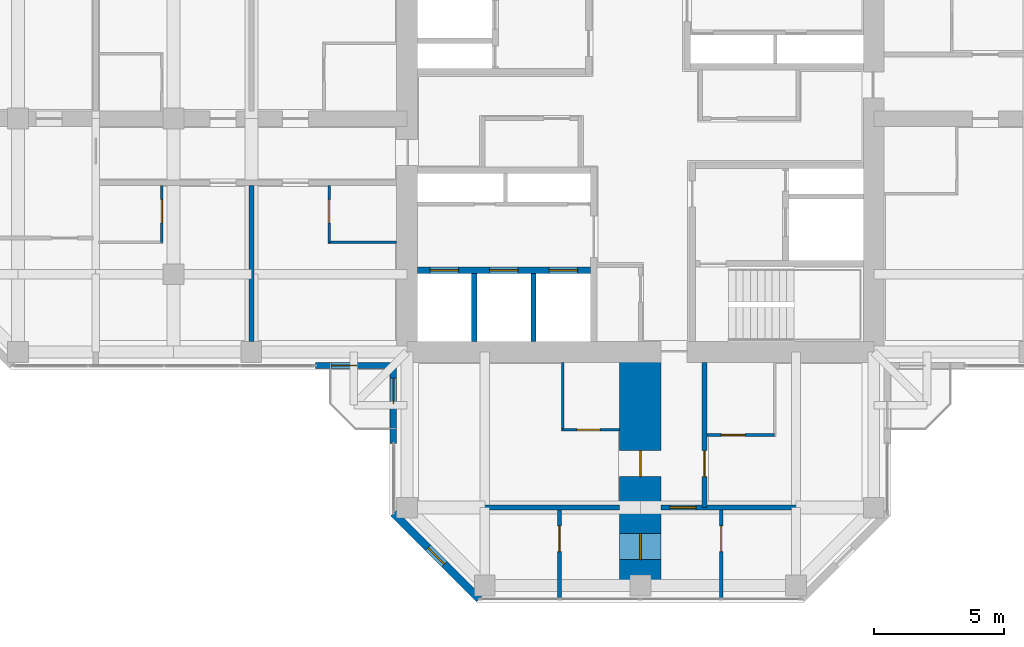
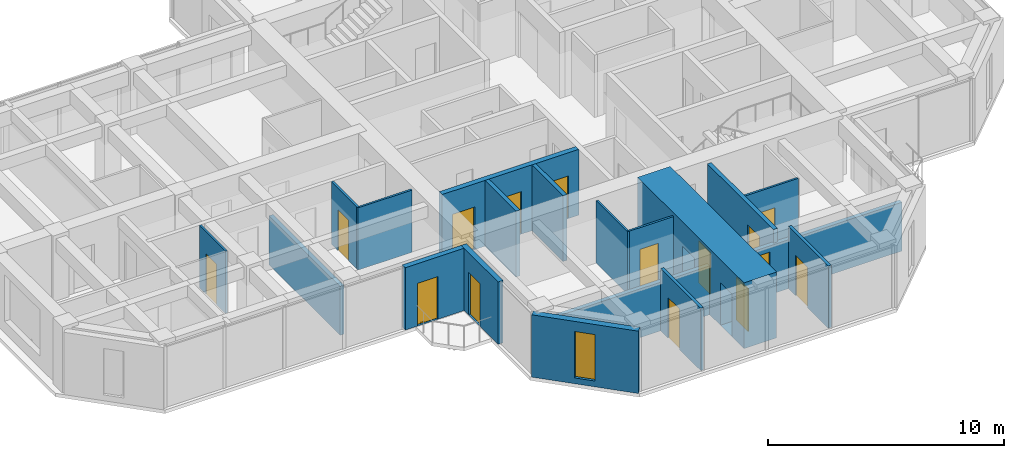
# One storey, part 8 of 14: 19 walls, 15 doors, 1 window, 16 openings.
"""IFC4 building model written with IfcOpenShell, lengths in metres."""

import ifcopenshell
import ifcopenshell.guid

model = None  # the IFC model being written
_history = None  # IfcOwnerHistory: only IFC2X3 demands one
_inside = {}  # id of a spatial element -> (the spatial element, [elements in it])
_under = {}  # id of a project, library or spatial element -> (it, [spatial elements below it])
_declared = {}  # id of a project -> (the project, [libraries it declares])
_typed = {}  # id of a type object -> (the type object, [elements of that type])
_made_of = {}  # id of a material, layer set ... -> (it, [elements and type objects made of it])


def new_model(schema):
    """Start an empty IFC model of exactly this schema.

    Asked for "IFC4X3", IfcOpenShell would pick the latest addendum, in which some entities
    have other attributes; the version numbers below select the first issue.
    IFC2X3 requires an IfcOwnerHistory on every rooted entity: one is made here for all.
    """
    global model, _history
    if schema == "IFC4X3":
        model = ifcopenshell.file(schema_version=(4, 3, 0, 0))
    else:
        model = ifcopenshell.file(schema=schema)
    _inside.clear()
    _under.clear()
    _declared.clear()
    _typed.clear()
    _made_of.clear()
    _history = None
    if model.schema == "IFC2X3":
        org = make("IfcOrganization", Name="unknown")
        user = make(
            "IfcPersonAndOrganization",
            ThePerson=make("IfcPerson", FamilyName="unknown"),
            TheOrganization=org,
        )
        app = make(
            "IfcApplication",
            ApplicationDeveloper=org,
            Version="unknown",
            ApplicationFullName="unknown",
            ApplicationIdentifier="unknown",
        )
        _history = make(
            "IfcOwnerHistory",
            OwningUser=user,
            OwningApplication=app,
            ChangeAction="ADDED",
            CreationDate=0,
        )
    return model


def make(cls, **values):
    """One entity of the class cls with the attributes given. An attribute that is None is left unset."""
    return model.create_entity(
        cls, **{name: value for name, value in values.items() if value is not None}
    )


def rooted(cls, **values):
    """An entity with a GlobalId (a new one), such as an element, a storey or a relation."""
    return make(cls, GlobalId=ifcopenshell.guid.new(), OwnerHistory=_history, **values)


def si_unit(unit_type, name, prefix=None):
    """IfcSIUnit, for example si_unit("LENGTHUNIT", "METRE", prefix="MILLI")."""
    return make("IfcSIUnit", UnitType=unit_type, Prefix=prefix, Name=name)


def assignment(units):
    """IfcUnitAssignment: the units of a project."""
    return None if units is None else make("IfcUnitAssignment", Units=units)


def point(xyz):
    """IfcCartesianPoint."""
    return None if xyz is None else make("IfcCartesianPoint", Coordinates=xyz)


def direction(xyz):
    """IfcDirection."""
    return None if xyz is None else make("IfcDirection", DirectionRatios=xyz)


def frame(location, z_axis=None, x_axis=None):
    """IfcAxis2Placement3D, a coordinate frame: its origin and axes. An axis left out is left unset."""
    return make(
        "IfcAxis2Placement3D",
        Location=point(location),
        Axis=direction(z_axis),
        RefDirection=direction(x_axis),
    )


def frame_2d(location, x_axis=None):
    """IfcAxis2Placement2D, a coordinate frame in the plane: its origin and x axis."""
    return make(
        "IfcAxis2Placement2D", Location=point(location), RefDirection=direction(x_axis)
    )


def origin():
    """The frame at (0, 0, 0) with its axes left unset."""
    return frame((0.0, 0.0, 0.0))


def place(relative_to, where):
    """IfcLocalPlacement: puts the frame where relative to a parent placement (None: the world)."""
    return make(
        "IfcLocalPlacement", PlacementRelTo=relative_to, RelativePlacement=where
    )


def context(
    kind, dimensions, precision=None, world=None, true_north=None, identifier=None
):
    """IfcGeometricRepresentationContext, for example the 3D "Model" context."""
    return make(
        "IfcGeometricRepresentationContext",
        ContextIdentifier=identifier,
        ContextType=kind,
        CoordinateSpaceDimension=dimensions,
        Precision=precision,
        WorldCoordinateSystem=world,
        TrueNorth=true_north,
    )


def subcontext(parent, identifier, kind, view, scale=None):
    """IfcGeometricRepresentationSubContext, for example "Body" below "Model"."""
    return make(
        "IfcGeometricRepresentationSubContext",
        ContextIdentifier=identifier,
        ContextType=kind,
        ParentContext=parent,
        TargetScale=scale,
        TargetView=view,
    )


def project(units=None, contexts=None):
    """IfcProject with its units and contexts."""
    return rooted(
        "IfcProject",
        Name="project",
        RepresentationContexts=contexts,
        UnitsInContext=assignment(units),
    )


def spatial(cls, under=None, at=None, **own):
    """A site, building, storey or space (cls), placed at a placement, below another one or the project."""
    s = rooted(cls, ObjectPlacement=at, **own)
    if under is not None:
        _under.setdefault(under.id(), (under, []))[1].append(s)
    return s


def profile(cls, at=None, kind="AREA", **sizes):
    """A parametric profile (cls). Its sizes go by their IFC names, for example OverallWidth=200.0."""
    return make(cls, ProfileType=kind, Position=at, **sizes)


def rectangle(**sizes):
    """IfcRectangleProfileDef."""
    return profile("IfcRectangleProfileDef", **sizes)


def hollow_rectangle(**sizes):
    """IfcRectangleHollowProfileDef."""
    return profile("IfcRectangleHollowProfileDef", **sizes)


def extrude(swept, where, along, depth):
    """IfcExtrudedAreaSolid: the profile swept, set in the frame where, extruded along a direction by depth."""
    return make(
        "IfcExtrudedAreaSolid",
        SweptArea=swept,
        Position=where,
        ExtrudedDirection=direction(along),
        Depth=depth,
    )


def shape(context_of_items, identifier, shape_type, items):
    """IfcShapeRepresentation: the items that make up one representation, for example the "Body"."""
    return make(
        "IfcShapeRepresentation",
        ContextOfItems=context_of_items,
        RepresentationIdentifier=identifier,
        RepresentationType=shape_type,
        Items=items,
    )


def material(Name=None, Category=None):
    """IfcMaterial."""
    return make("IfcMaterial", Name=Name, Category=Category)


def layer(
    of_material, thickness, ventilated=None, Name=None, Category=None, Priority=None
):
    """IfcMaterialLayer: one layer of a wall or slab, of a material (None: an air gap)."""
    return make(
        "IfcMaterialLayer",
        Material=of_material,
        LayerThickness=thickness,
        IsVentilated=ventilated,
        Name=Name,
        Category=Category,
        Priority=Priority,
    )


def layer_set(layers, Name=None):
    """IfcMaterialLayerSet."""
    return make("IfcMaterialLayerSet", MaterialLayers=layers, LayerSetName=Name)


def constituent(of_material, Name=None, Category=None, fraction=None):
    """IfcMaterialConstituent: one of the materials an element consists of."""
    return make(
        "IfcMaterialConstituent",
        Name=Name,
        Material=of_material,
        Fraction=fraction,
        Category=Category,
    )


def constituent_set(constituents=None, Name=None):
    """IfcMaterialConstituentSet."""
    return make(
        "IfcMaterialConstituentSet", Name=Name, MaterialConstituents=constituents
    )


def made_of(thing, what):
    """Note that an element or type object is made of a material, layer set ...; save() writes the relation."""
    if what is not None:
        _made_of.setdefault(what.id(), (what, []))[1].append(thing)
    return thing


def type_object(cls, material=None, **own):
    """A type object (cls), such as IfcWallType, which elements share."""
    return made_of(rooted(cls, **own), material)


def element(
    cls,
    number,
    at=None,
    inside=None,
    cuts=None,
    type_object=None,
    material=None,
    context=None,
    identifier="Body",
    shape_type=None,
    held_by="IfcProductDefinitionShape",
    body=None,
    shapes=None,
    **own,
):
    """One element of the class cls, such as IfcWall. Its Tag is "e" and its number.

    at: its placement. inside: the storey or other place that contains it. cuts: it is an
    opening in that element (IfcRelVoidsElement). A single representation is given by context,
    identifier, shape_type and body (its items); several are given by shapes. held_by: the class
    of the entity that holds the representations. save() writes the other relations.
    """
    e = rooted(cls, Tag="e%d" % number, ObjectPlacement=at, **own)
    if body is not None:
        shapes = [shape(context, identifier, shape_type, body)]
    if shapes is not None:
        e.Representation = make(held_by, Representations=shapes)
    if inside is not None:
        _inside.setdefault(inside.id(), (inside, []))[1].append(e)
    if cuts is not None:
        rooted(
            "IfcRelVoidsElement", RelatingBuildingElement=cuts, RelatedOpeningElement=e
        )
    if type_object is not None:
        _typed.setdefault(type_object.id(), (type_object, []))[1].append(e)
    return made_of(e, material)


def fill(opening, filler):
    """IfcRelFillsElement: the door or window that sits in an opening."""
    return rooted(
        "IfcRelFillsElement",
        RelatingOpeningElement=opening,
        RelatedBuildingElement=filler,
    )


def aggregate(whole, parts):
    """IfcRelAggregates: a whole, such as a stair, and the parts it consists of."""
    return rooted("IfcRelAggregates", RelatingObject=whole, RelatedObjects=parts)


def save(model, path):
    """Write the relations noted so far, then the file.

    IfcRelAggregates (storeys below a building ...), IfcRelContainedInSpatialStructure (elements
    in a storey), IfcRelDefinesByType, IfcRelAssociatesMaterial and IfcRelDeclares: one each for
    every whole, place, type object, material and project.
    """
    for whole, parts in _under.values():
        aggregate(whole, parts)
    for where, things in _inside.values():
        rooted(
            "IfcRelContainedInSpatialStructure",
            RelatedElements=things,
            RelatingStructure=where,
        )
    for kind, things in _typed.values():
        rooted("IfcRelDefinesByType", RelatedObjects=things, RelatingType=kind)
    for what, things in _made_of.values():
        rooted("IfcRelAssociatesMaterial", RelatedObjects=things, RelatingMaterial=what)
    for by, libraries in _declared.values():
        rooted("IfcRelDeclares", RelatingContext=by, RelatedDefinitions=libraries)
    model.write(path)


model = new_model("IFC4")

# Units and contexts
model_context = context("Model", 3, precision=1e-05, world=origin(), true_north=direction((0.0, 1.0)))
body_context = subcontext(model_context, "Body", "Model", "MODEL_VIEW")
ifc_project = project(units=[si_unit("LENGTHUNIT", "METRE"), si_unit("AREAUNIT", "SQUARE_METRE"), si_unit("VOLUMEUNIT", "CUBIC_METRE"), si_unit("PLANEANGLEUNIT", "RADIAN"), si_unit("MASSUNIT", "GRAM", prefix="KILO")], contexts=[model_context])

# Site, building, storey
site_placement = place(None, origin())
site = spatial("IfcSite", under=ifc_project, at=site_placement, CompositionType="ELEMENT")
building_placement = place(site_placement, origin())
building = spatial("IfcBuilding", under=site, at=building_placement, Name="Torre Cruceta", CompositionType="ELEMENT")
storey_placement = place(building_placement, frame((0.0, 0.0, 228.89990234375)))
storey = spatial("IfcBuildingStorey", under=building, at=storey_placement, Name="L58", CompositionType="ELEMENT", Elevation=228.89990234375)

# Wall, opening, door
ifc_material_1 = material(Name="Water-resistant plasterboard on steel studs", Category="steel")
ifc_layer_1 = layer(ifc_material_1, 0.10009765625)
ifc_layer_set_1 = layer_set([ifc_layer_1], Name="Water-resistant plasterboard on steel studs")
wall_type_1 = type_object("IfcWallType", Name="BATHROOM WALL 100", PredefinedType="PARTITIONING", material=ifc_layer_set_1)
wall_1_placement = place(storey_placement, frame((2.574951171875, -12.199951171875, 0.0), z_axis=(0.0, 0.0, 1.0), x_axis=(1.0, 0.0, 0.0)))
wall_1 = element("IfcWall", 1, at=wall_1_placement, inside=storey, type_object=wall_type_1, Name="PT4 L58-S-U1LBS", PredefinedType="PARTITIONING", context=body_context, shape_type="SweptSolid", body=[
    extrude(rectangle(XDim=2.60009765625, YDim=0.10009765625, at=frame_2d((1.300048828125, 0.0))), origin(), (0.0, 0.0, 1.0), 3.22021484375),
])
opening_1_placement = place(wall_1_placement, frame((0.550048828125, 0.0, 0.0)))
opening_1 = element("IfcOpeningElement", 2, at=opening_1_placement, cuts=wall_1, Name="Opening D7", PredefinedType="OPENING", context=body_context, shape_type="SweptSolid", body=[
    extrude(rectangle(XDim=0.89990234375, YDim=2.10009765625, at=frame_2d((0.449951171875, 1.050048828125))), frame((0.0, 0.06005859375, 0.0), z_axis=(0.0, -1.0, 0.0), x_axis=(1.0, 0.0, 0.0)), (0.0, 0.0, 1.0), 0.1201171875),
])
ifc_material_2 = material(Name="Timber door", Category="wood")
door_type_1 = type_object("IfcDoorType", Name="BATHROOM DOOR 900X2100", OperationType="SINGLE_SWING_LEFT", PredefinedType="DOOR", material=ifc_material_2)
door_1_placement = place(opening_1_placement, origin())
door_1 = element("IfcDoor", 3, at=door_1_placement, inside=storey, type_object=door_type_1, Name="D7 L58-S-U1LBS-D1", OperationType="SINGLE_SWING_LEFT", OverallHeight=2.10009765625, OverallWidth=0.89990234375, PredefinedType="DOOR", context=body_context, shape_type="SweptSolid", body=[
    extrude(rectangle(XDim=0.89990234375, YDim=2.10009765625, at=frame_2d((0.449951171875, 1.050048828125))), frame((0.0, 0.02490234375, 0.0), z_axis=(0.0, -1.0, 0.0), x_axis=(1.0, 0.0, 0.0)), (0.0, 0.0, 1.0), 0.050048828125),
])
fill(opening_1, door_1)

# Wall
wall_2_placement = place(storey_placement, frame((-3.0, -9.39990234375, 0.0), z_axis=(0.0, 0.0, 1.0), x_axis=(0.0, -1.0, 0.0)))
element("IfcWall", 4, at=wall_2_placement, inside=storey, type_object=wall_type_1, Name="PT4 L58-S-U1RBB", PredefinedType="PARTITIONING", context=body_context, shape_type="SweptSolid", body=[
    extrude(rectangle(XDim=2.650146484375, YDim=0.10009765625, at=frame_2d((1.3251953125, 0.0))), origin(), (0.0, 0.0, 1.0), 3.22021484375),
])

# Wall, opening, door
wall_3_placement = place(storey_placement, frame((-3.0, -12.0, 0.0), z_axis=(0.0, 0.0, 1.0), x_axis=(1.0, 0.0, 0.0)))
wall_3 = element("IfcWall", 5, at=wall_3_placement, inside=storey, type_object=wall_type_1, Name="PT4 L58-S-U1RBS", PredefinedType="PARTITIONING", context=body_context, shape_type="SweptSolid", body=[
    extrude(rectangle(XDim=2.199951171875, YDim=0.10009765625, at=frame_2d((1.10009765625, 0.0))), origin(), (0.0, 0.0, 1.0), 3.22021484375),
])
opening_2_placement = place(wall_3_placement, frame((0.550048828125, 0.0, 0.0)))
opening_2 = element("IfcOpeningElement", 6, at=opening_2_placement, cuts=wall_3, Name="Opening D7", PredefinedType="OPENING", context=body_context, shape_type="SweptSolid", body=[
    extrude(rectangle(XDim=0.89990234375, YDim=2.10009765625, at=frame_2d((0.449951171875, 1.050048828125))), frame((0.0, 0.06005859375, 0.0), z_axis=(0.0, -1.0, 0.0), x_axis=(1.0, 0.0, 0.0)), (0.0, 0.0, 1.0), 0.1201171875),
])
door_2_placement = place(opening_2_placement, origin())
door_2 = element("IfcDoor", 7, at=door_2_placement, inside=storey, type_object=door_type_1, Name="D7 L58-S-U1RBS-D1", OperationType="SINGLE_SWING_LEFT", OverallHeight=2.10009765625, OverallWidth=0.89990234375, PredefinedType="DOOR", context=body_context, shape_type="SweptSolid", body=[
    extrude(rectangle(XDim=0.89990234375, YDim=2.10009765625, at=frame_2d((0.449951171875, 1.050048828125))), frame((0.0, 0.02490234375, 0.0), z_axis=(0.0, -1.0, 0.0), x_axis=(1.0, 0.0, 0.0)), (0.0, 0.0, 1.0), 0.050048828125),
])
fill(opening_2, door_2)

# Wall
wall_4_placement = place(storey_placement, frame((-9.39990234375, -4.77490234375, 0.0), z_axis=(0.0, 0.0, 1.0), x_axis=(-1.0, 0.0, 0.0)))
element("IfcWall", 8, at=wall_4_placement, inside=storey, type_object=wall_type_1, Name="PT4 L58-W-U1LBB", PredefinedType="PARTITIONING", context=body_context, shape_type="SweptSolid", body=[
    extrude(rectangle(XDim=2.650146484375, YDim=0.10009765625, at=frame_2d((1.3251953125, 0.0))), origin(), (0.0, 0.0, 1.0), 3.22021484375),
])

# Wall, opening, door
wall_5_placement = place(storey_placement, frame((-12.0, -2.574951171875, 0.0), z_axis=(0.0, 0.0, 1.0), x_axis=(0.0, -1.0, 0.0)))
wall_5 = element("IfcWall", 9, at=wall_5_placement, inside=storey, type_object=wall_type_1, Name="PT4 L58-W-U1LBS", PredefinedType="PARTITIONING", context=body_context, shape_type="SweptSolid", body=[
    extrude(rectangle(XDim=2.199951171875, YDim=0.10009765625, at=frame_2d((1.10009765625, 0.0))), origin(), (0.0, 0.0, 1.0), 3.22021484375),
])
opening_3_placement = place(wall_5_placement, frame((0.550048828125, 0.0, 0.0)))
opening_3 = element("IfcOpeningElement", 10, at=opening_3_placement, cuts=wall_5, Name="Opening D7", PredefinedType="OPENING", context=body_context, shape_type="SweptSolid", body=[
    extrude(rectangle(XDim=0.89990234375, YDim=2.10009765625, at=frame_2d((0.449951171875, 1.050048828125))), frame((0.0, 0.06005859375, 0.0), z_axis=(0.0, -1.0, 0.0), x_axis=(1.0, 0.0, 0.0)), (0.0, 0.0, 1.0), 0.1201171875),
])
door_3_placement = place(opening_3_placement, origin())
door_3 = element("IfcDoor", 11, at=door_3_placement, inside=storey, type_object=door_type_1, Name="D7 L58-W-U1LBS-D1", OperationType="SINGLE_SWING_LEFT", OverallHeight=2.10009765625, OverallWidth=0.89990234375, PredefinedType="DOOR", context=body_context, shape_type="SweptSolid", body=[
    extrude(rectangle(XDim=0.89990234375, YDim=2.10009765625, at=frame_2d((0.449951171875, 1.050048828125))), frame((0.0, 0.02490234375, 0.0), z_axis=(0.0, -1.0, 0.0), x_axis=(1.0, 0.0, 0.0)), (0.0, 0.0, 1.0), 0.050048828125),
])
fill(opening_3, door_3)

wall_6_placement = place(storey_placement, frame((-18.449951171875, -2.574951171875, 0.0), z_axis=(0.0, 0.0, 1.0), x_axis=(0.0, -1.0, 0.0)))
wall_6 = element("IfcWall", 12, at=wall_6_placement, inside=storey, type_object=wall_type_1, Name="PT4 L58-W-U2LBS", PredefinedType="PARTITIONING", context=body_context, shape_type="SweptSolid", body=[
    extrude(rectangle(XDim=2.199951171875, YDim=0.10009765625, at=frame_2d((1.10009765625, 0.0))), origin(), (0.0, 0.0, 1.0), 3.22021484375),
])
opening_4_placement = place(wall_6_placement, frame((0.550048828125, 0.0, 0.0)))
opening_4 = element("IfcOpeningElement", 13, at=opening_4_placement, cuts=wall_6, Name="Opening D7", PredefinedType="OPENING", context=body_context, shape_type="SweptSolid", body=[
    extrude(rectangle(XDim=0.89990234375, YDim=2.10009765625, at=frame_2d((0.449951171875, 1.050048828125))), frame((0.0, 0.06005859375, 0.0), z_axis=(0.0, -1.0, 0.0), x_axis=(1.0, 0.0, 0.0)), (0.0, 0.0, 1.0), 0.1201171875),
])
door_4_placement = place(opening_4_placement, frame((0.89990234375, 0.0, 0.0), z_axis=(0.0, 0.0, 1.0), x_axis=(-1.0, 0.0, 0.0)))
door_4 = element("IfcDoor", 14, at=door_4_placement, inside=storey, type_object=door_type_1, Name="D7 L58-W-U2LBS-D1", OperationType="SINGLE_SWING_RIGHT", OverallHeight=2.10009765625, OverallWidth=0.89990234375, PredefinedType="DOOR", context=body_context, shape_type="SweptSolid", body=[
    extrude(rectangle(XDim=0.89990234375, YDim=2.10009765625, at=frame_2d((0.449951171875, 1.050048828125))), frame((0.0, 0.025146484375, 0.0), z_axis=(0.0, -1.0, 0.0), x_axis=(1.0, 0.0, 0.0)), (0.0, 0.0, 1.0), 0.050048828125),
])
fill(opening_4, door_4)

# Wall, openings, doors
ifc_material_3 = material(Name="Concrete G60 (fck 60 MPa)", Category="concrete")
ifc_layer_2 = layer(ifc_material_3, 0.25)
ifc_layer_set_2 = layer_set([ifc_layer_2], Name="Concrete G60 (fck 60 MPa)")
wall_type_2 = type_object("IfcWallType", Name="CORE INNER WALL 250 G60", PredefinedType="SHEAR", material=ifc_layer_set_2)
wall_7_placement = place(storey_placement, frame((-1.925048828125, -5.85009765625, 0.0), z_axis=(0.0, 0.0, 1.0), x_axis=(-1.0, 0.0, 0.0)))
wall_7 = element("IfcWall", 15, at=wall_7_placement, inside=storey, type_object=wall_type_2, Name="CW4 L58 SW-LV", PredefinedType="SHEAR", context=body_context, shape_type="SweptSolid", body=[
    extrude(rectangle(XDim=6.675048828125, YDim=0.25, at=frame_2d((3.33740234375, 0.0))), origin(), (0.0, 0.0, 1.0), 3.400146484375),
])
opening_5_placement = place(wall_7_placement, frame((0.495849609375, 0.0, 0.0)))
opening_5 = element("IfcOpeningElement", 16, at=opening_5_placement, cuts=wall_7, Name="Opening LD1", PredefinedType="OPENING", context=body_context, shape_type="SweptSolid", body=[
    extrude(rectangle(XDim=1.10009765625, YDim=2.199951171875, at=frame_2d((0.550048828125, 1.10009765625))), frame((0.0, 0.135009765625, 0.0), z_axis=(0.0, -1.0, 0.0), x_axis=(1.0, 0.0, 0.0)), (0.0, 0.0, 1.0), 0.27001953125),
])
opening_6_placement = place(wall_7_placement, frame((2.78759765625, 0.0, 0.0)))
opening_6 = element("IfcOpeningElement", 17, at=opening_6_placement, cuts=wall_7, Name="Opening LD1", PredefinedType="OPENING", context=body_context, shape_type="SweptSolid", body=[
    extrude(rectangle(XDim=1.10009765625, YDim=2.199951171875, at=frame_2d((0.550048828125, 1.10009765625))), frame((0.0, 0.135009765625, 0.0), z_axis=(0.0, -1.0, 0.0), x_axis=(1.0, 0.0, 0.0)), (0.0, 0.0, 1.0), 0.27001953125),
])
opening_7_placement = place(wall_7_placement, frame((5.0791015625, 0.0, 0.0)))
opening_7 = element("IfcOpeningElement", 18, at=opening_7_placement, cuts=wall_7, Name="Opening LD1", PredefinedType="OPENING", context=body_context, shape_type="SweptSolid", body=[
    extrude(rectangle(XDim=1.10009765625, YDim=2.199951171875, at=frame_2d((0.550048828125, 1.10009765625))), frame((0.0, 0.135009765625, 0.0), z_axis=(0.0, -1.0, 0.0), x_axis=(1.0, 0.0, 0.0)), (0.0, 0.0, 1.0), 0.27001953125),
])
ifc_material_4 = material(Name="Stainless steel 1.4401", Category="steel")
door_type_2 = type_object("IfcDoorType", Name="LIFT LANDING DOOR 1100X2200", OperationType="DOUBLE_DOOR_SLIDING", PredefinedType="DOOR", material=ifc_material_4)
door_5_placement = place(opening_5_placement, origin())
door_5 = element("IfcDoor", 19, at=door_5_placement, inside=storey, type_object=door_type_2, Name="Lift landing door R1", OperationType="DOUBLE_DOOR_SLIDING", OverallHeight=2.199951171875, OverallWidth=1.10009765625, PredefinedType="DOOR", context=body_context, shape_type="SweptSolid", body=[
    extrude(rectangle(XDim=1.10009765625, YDim=2.199951171875, at=frame_2d((0.550048828125, 1.10009765625))), frame((0.0, 0.02490234375, 0.0), z_axis=(0.0, -1.0, 0.0), x_axis=(1.0, 0.0, 0.0)), (0.0, 0.0, 1.0), 0.050048828125),
])
fill(opening_5, door_5)
door_6_placement = place(opening_6_placement, origin())
door_6 = element("IfcDoor", 20, at=door_6_placement, inside=storey, type_object=door_type_2, Name="Lift landing door R2", OperationType="DOUBLE_DOOR_SLIDING", OverallHeight=2.199951171875, OverallWidth=1.10009765625, PredefinedType="DOOR", context=body_context, shape_type="SweptSolid", body=[
    extrude(rectangle(XDim=1.10009765625, YDim=2.199951171875, at=frame_2d((0.550048828125, 1.10009765625))), frame((0.0, 0.02490234375, 0.0), z_axis=(0.0, -1.0, 0.0), x_axis=(1.0, 0.0, 0.0)), (0.0, 0.0, 1.0), 0.050048828125),
])
fill(opening_6, door_6)
door_7_placement = place(opening_7_placement, origin())
door_7 = element("IfcDoor", 21, at=door_7_placement, inside=storey, type_object=door_type_2, Name="Lift landing door R3", OperationType="DOUBLE_DOOR_SLIDING", OverallHeight=2.199951171875, OverallWidth=1.10009765625, PredefinedType="DOOR", context=body_context, shape_type="SweptSolid", body=[
    extrude(rectangle(XDim=1.10009765625, YDim=2.199951171875, at=frame_2d((0.550048828125, 1.10009765625))), frame((0.0, 0.02490234375, 0.0), z_axis=(0.0, -1.0, 0.0), x_axis=(1.0, 0.0, 0.0)), (0.0, 0.0, 1.0), 0.050048828125),
])
fill(opening_7, door_7)

# Wall, opening, door
ifc_material_5 = material(Name="Concrete G25 (fck 25 MPa)", Category="concrete")
ifc_layer_3 = layer(ifc_material_5, 0.199951171875)
ifc_layer_set_3 = layer_set([ifc_layer_3], Name="Concrete G25 (fck 25 MPa)")
wall_type_3 = type_object("IfcWallType", Name="CORRIDOR WALL 200", PredefinedType="SOLIDWALL", material=ifc_layer_set_3)
wall_8_placement = place(storey_placement, frame((2.47509765625, -9.39990234375, 0.0), z_axis=(0.0, 0.0, 1.0), x_axis=(0.0, -1.0, 0.0)))
wall_8 = element("IfcWall", 22, at=wall_8_placement, inside=storey, type_object=wall_type_3, Name="PT3 L58-S-CL", PredefinedType="SOLIDWALL", context=body_context, shape_type="SweptSolid", body=[
    extrude(rectangle(XDim=5.60009765625, YDim=0.199951171875, at=frame_2d((2.800048828125, 0.0))), origin(), (0.0, 0.0, 1.0), 3.22021484375),
])
opening_8_placement = place(wall_8_placement, frame((3.39990234375, 0.0, 0.0)))
opening_8 = element("IfcOpeningElement", 23, at=opening_8_placement, cuts=wall_8, Name="Opening D6", PredefinedType="OPENING", context=body_context, shape_type="SweptSolid", body=[
    extrude(rectangle(XDim=1.0, YDim=2.14990234375, at=frame_2d((0.5, 1.074951171875))), frame((0.0, 0.10986328125, 0.0), z_axis=(0.0, -1.0, 0.0), x_axis=(1.0, 0.0, 0.0)), (0.0, 0.0, 1.0), 0.219970703125),
])
ifc_material_6 = material(Name="Timber fire door", Category="wood")
door_type_3 = type_object("IfcDoorType", Name="UNIT ENTRANCE DOOR 1000X2150", OperationType="SINGLE_SWING_LEFT", PredefinedType="DOOR", material=ifc_material_6)
door_8_placement = place(opening_8_placement, origin())
door_8 = element("IfcDoor", 24, at=door_8_placement, inside=storey, type_object=door_type_3, Name="D6 L58-S-CL-D1", OperationType="SINGLE_SWING_LEFT", OverallHeight=2.14990234375, OverallWidth=1.0, PredefinedType="DOOR", context=body_context, shape_type="SweptSolid", body=[
    extrude(rectangle(XDim=1.0, YDim=2.14990234375, at=frame_2d((0.5, 1.074951171875))), frame((0.0, 0.02490234375, 0.0), z_axis=(0.0, -1.0, 0.0), x_axis=(1.0, 0.0, 0.0)), (0.0, 0.0, 1.0), 0.050048828125),
])
fill(opening_8, door_8)

# Wall, opening, window
ifc_material_7 = material(Name="Concrete G30 (fck 30 MPa)", Category="concrete")
ifc_layer_4 = layer(ifc_material_7, 0.300048828125)
ifc_layer_set_4 = layer_set([ifc_layer_4], Name="Concrete G30 (fck 30 MPa)")
wall_type_4 = type_object("IfcWallType", Name="EXPOSED CONCRETE FACADE WALL 300", PredefinedType="SOLIDWALL", material=ifc_layer_set_4)
wall_9_placement = place(storey_placement, frame((-9.52001953125, -15.21533203125, 0.0), z_axis=(0.0, 0.0, 1.0), x_axis=(0.707106781187, -0.707106781187, 0.0)))
wall_9 = element("IfcWall", 25, at=wall_9_placement, inside=storey, type_object=wall_type_4, Name="EW1 facade wall L58 S chamfer 16", PredefinedType="SOLIDWALL", context=body_context, shape_type="SweptSolid", body=[
    extrude(rectangle(XDim=4.673583984375, YDim=0.300048828125, at=frame_2d((2.3369140625, 0.0))), origin(), (0.0, 0.0, 1.0), 3.22021484375),
])
opening_9_placement = place(wall_9_placement, frame((1.88671875, 0.0, 0.300048828125)))
opening_9 = element("IfcOpeningElement", 26, at=opening_9_placement, cuts=wall_9, Name="Opening WN5", PredefinedType="OPENING", context=body_context, shape_type="SweptSolid", body=[
    extrude(rectangle(XDim=0.89990234375, YDim=2.39990234375, at=frame_2d((0.449951171875, 1.199951171875))), frame((0.0, 0.159912109375, 0.0), z_axis=(0.0, -1.0, 0.0), x_axis=(1.0, 0.0, 0.0)), (0.0, 0.0, 1.0), 0.320068359375),
])
ifc_material_8 = material(Name="Aluminium window frame", Category="aluminium")
ifc_constituent_1 = constituent(ifc_material_8, Name="Frame")
ifc_material_9 = material(Name="Laminated insulating glass unit, low-iron clear", Category="glass")
ifc_constituent_2 = constituent(ifc_material_9, Name="Glazing")
ifc_constituent_set_1 = constituent_set(constituents=[ifc_constituent_1, ifc_constituent_2], Name="Aluminium window")
window_type = type_object("IfcWindowType", Name="CHAMFER SLOT WINDOW 900X2400", PartitioningType="SINGLE_PANEL", PredefinedType="WINDOW", material=ifc_constituent_set_1)
window_placement = place(opening_9_placement, origin())
window = element("IfcWindow", 27, at=window_placement, inside=storey, type_object=window_type, Name="WN5 L58 S 1", OverallHeight=2.39990234375, OverallWidth=0.89990234375, PartitioningType="SINGLE_PANEL", PredefinedType="WINDOW", context=body_context, shape_type="SweptSolid", body=[
    extrude(hollow_rectangle(XDim=0.89990234375, YDim=2.39990234375, WallThickness=0.06005859375, at=frame_2d((0.449951171875, 1.199951171875))), frame((0.0, 0.030029296875, 0.0), z_axis=(0.0, -1.0, 0.0), x_axis=(1.0, 0.0, 0.0)), (0.0, 0.0, 1.0), 0.06005859375),
    extrude(rectangle(XDim=0.77880859375, YDim=2.27880859375, at=frame_2d((0.449951171875, 1.199951171875))), frame((0.0, 0.030029296875, 0.0), z_axis=(0.0, -1.0, 0.0), x_axis=(1.0, 0.0, 0.0)), (0.0, 0.0, 1.0), 0.06005859375),
])
fill(opening_9, window)

# Walls
ifc_material_10 = material(Name="Concrete G35 (fck 35 MPa)", Category="concrete")
ifc_layer_5 = layer(ifc_material_10, 0.199951171875)
ifc_layer_set_5 = layer_set([ifc_layer_5], Name="Concrete G35 (fck 35 MPa)")
wall_type_5 = type_object("IfcWallType", Name="LIFT SHAFT WALL 200", PredefinedType="PARTITIONING", material=ifc_layer_set_5)
for number, where, z_axis, x_axis, name in (
    (28, (-4.11669921875, -5.97509765625, 0.0), (0.0, 0.0, 1.0), (0.0, -1.0, 0.0), "SW1 L58 SW-LS1"),
    (29, (-6.408447265625, -5.97509765625, 0.0), (0.0, 0.0, 1.0), (0.0, -1.0, 0.0), "SW1 L58 SW-LS2"),
):
    element("IfcWall", number, at=place(storey_placement, frame(where, z_axis=z_axis, x_axis=x_axis)), inside=storey, type_object=wall_type_5, Name=name, PredefinedType="PARTITIONING", context=body_context, shape_type="SweptSolid", body=[
        extrude(rectangle(XDim=2.625, YDim=0.199951171875, at=frame_2d((1.3125, 0.0))), origin(), (0.0, 0.0, 1.0), 3.400146484375),
    ])

# Wall, opening, door
ifc_material_11 = material(Name="Plasterboard on steel studs", Category="steel")
ifc_layer_6 = layer(ifc_material_11, 0.14990234375)
ifc_layer_set_6 = layer_set([ifc_layer_6], Name="Plasterboard on steel studs")
wall_type_6 = type_object("IfcWallType", Name="PARTITION 150", PredefinedType="PARTITIONING", material=ifc_layer_set_6)
wall_10_placement = place(storey_placement, frame((3.117919921875, -15.10009765625, 0.0), z_axis=(0.0, 0.0, 1.0), x_axis=(0.0, -1.0, 0.0)))
wall_10 = element("IfcWall", 30, at=wall_10_placement, inside=storey, type_object=wall_type_6, Name="PT1 L58-S-ENDX", PredefinedType="PARTITIONING", context=body_context, shape_type="SweptSolid", body=[
    extrude(rectangle(XDim=3.3798828125, YDim=0.14990234375, at=frame_2d((1.68994140625, 0.0))), origin(), (0.0, 0.0, 1.0), 3.22021484375),
])
opening_10_placement = place(wall_10_placement, frame((0.60009765625, 0.0, 0.0)))
opening_10 = element("IfcOpeningElement", 31, at=opening_10_placement, cuts=wall_10, Name="Opening D3", PredefinedType="OPENING", context=body_context, shape_type="SweptSolid", body=[
    extrude(rectangle(XDim=1.0, YDim=2.10009765625, at=frame_2d((0.5, 1.050048828125))), frame((0.0, 0.0849609375, 0.0), z_axis=(0.0, -1.0, 0.0), x_axis=(1.0, 0.0, 0.0)), (0.0, 0.0, 1.0), 0.169921875),
])
ifc_material_12 = material(Name="Steel DX51D", Category="steel")
ifc_constituent_3 = constituent(ifc_material_12, Name="Leaf and frame")
ifc_material_13 = material(Name="Polyester powder coating", Category="paint")
ifc_constituent_4 = constituent(ifc_material_13, Name="Finish")
ifc_constituent_set_2 = constituent_set(constituents=[ifc_constituent_3, ifc_constituent_4], Name="Steel fire door")
door_type_4 = type_object("IfcDoorType", Name="FIRE DOOR 1000X2100", OperationType="SINGLE_SWING_LEFT", PredefinedType="DOOR", material=ifc_constituent_set_2)
door_9_placement = place(opening_10_placement, frame((1.0, 0.0, 0.0), z_axis=(0.0, 0.0, 1.0), x_axis=(-1.0, 0.0, 0.0)))
door_9 = element("IfcDoor", 32, at=door_9_placement, inside=storey, type_object=door_type_4, Name="D3 L58-S-ENDX-D1", OperationType="SINGLE_SWING_LEFT", OverallHeight=2.10009765625, OverallWidth=1.0, PredefinedType="DOOR", context=body_context, shape_type="SweptSolid", body=[
    extrude(rectangle(XDim=1.0, YDim=2.10009765625, at=frame_2d((0.5, 1.050048828125))), frame((0.0, 0.025146484375, 0.0), z_axis=(0.0, -1.0, 0.0), x_axis=(1.0, 0.0, 0.0)), (0.0, 0.0, 1.0), 0.050048828125),
])
fill(opening_10, door_9)

wall_11_placement = place(storey_placement, frame((-3.117919921875, -15.10009765625, 0.0), z_axis=(0.0, 0.0, 1.0), x_axis=(0.0, -1.0, 0.0)))
wall_11 = element("IfcWall", 33, at=wall_11_placement, inside=storey, type_object=wall_type_6, Name="PT1 L58-S-END2X", PredefinedType="PARTITIONING", context=body_context, shape_type="SweptSolid", body=[
    extrude(rectangle(XDim=3.3798828125, YDim=0.14990234375, at=frame_2d((1.68994140625, 0.0))), origin(), (0.0, 0.0, 1.0), 3.22021484375),
])
opening_11_placement = place(wall_11_placement, frame((0.60009765625, 0.0, 0.0)))
opening_11 = element("IfcOpeningElement", 34, at=opening_11_placement, cuts=wall_11, Name="Opening D3", PredefinedType="OPENING", context=body_context, shape_type="SweptSolid", body=[
    extrude(rectangle(XDim=1.0, YDim=2.10009765625, at=frame_2d((0.5, 1.050048828125))), frame((0.0, 0.0849609375, 0.0), z_axis=(0.0, -1.0, 0.0), x_axis=(1.0, 0.0, 0.0)), (0.0, 0.0, 1.0), 0.169921875),
])
door_10_placement = place(opening_11_placement, origin())
door_10 = element("IfcDoor", 35, at=door_10_placement, inside=storey, type_object=door_type_4, Name="D3 L58-S-END2X-D1", OperationType="SINGLE_SWING_LEFT", OverallHeight=2.10009765625, OverallWidth=1.0, PredefinedType="DOOR", context=body_context, shape_type="SweptSolid", body=[
    extrude(rectangle(XDim=1.0, YDim=2.10009765625, at=frame_2d((0.5, 1.050048828125))), frame((0.0, 0.02490234375, 0.0), z_axis=(0.0, -1.0, 0.0), x_axis=(1.0, 0.0, 0.0)), (0.0, 0.0, 1.0), 0.050048828125),
])
fill(opening_11, door_10)

# Wall, openings, doors
ifc_material_14 = material(Name="Concrete G60 (fck 60 MPa)", Category="concrete")
ifc_layer_7 = layer(ifc_material_14, 1.60009765625)
ifc_layer_set_7 = layer_set([ifc_layer_7], Name="Concrete G60 (fck 60 MPa)")
wall_type_7 = type_object("IfcWallType", Name="SPINE WALL 1600 G60", PredefinedType="SHEAR", material=ifc_layer_set_7)
wall_12_placement = place(storey_placement, frame((0.0, -9.0, 0.0), z_axis=(0.0, 0.0, 1.0), x_axis=(0.0, -1.0, 0.0)))
wall_12 = element("IfcWall", 36, at=wall_12_placement, inside=storey, type_object=wall_type_7, Name="SW2 spine wall L58 S", PredefinedType="SHEAR", context=body_context, shape_type="SweptSolid", body=[
    extrude(rectangle(XDim=9.0, YDim=1.60009765625, at=frame_2d((4.5, 0.0))), origin(), (0.0, 0.0, 1.0), 3.400146484375),
])
opening_12_placement = place(wall_12_placement, frame((3.800048828125, 0.0, 0.0)))
opening_12 = element("IfcOpeningElement", 37, at=opening_12_placement, cuts=wall_12, Name="Opening D6", PredefinedType="OPENING", context=body_context, shape_type="SweptSolid", body=[
    extrude(rectangle(XDim=1.0, YDim=2.14990234375, at=frame_2d((0.5, 1.074951171875))), frame((0.0, 0.81005859375, 0.0), z_axis=(0.0, -1.0, 0.0), x_axis=(1.0, 0.0, 0.0)), (0.0, 0.0, 1.0), 1.6201171875),
])
opening_13_placement = place(wall_12_placement, frame((7.0, 0.0, 0.0)))
opening_13 = element("IfcOpeningElement", 38, at=opening_13_placement, cuts=wall_12, Name="Opening D14", PredefinedType="OPENING", context=body_context, shape_type="SweptSolid", body=[
    extrude(rectangle(XDim=1.0, YDim=2.199951171875, at=frame_2d((0.5, 1.10009765625))), frame((0.0, 0.81005859375, 0.0), z_axis=(0.0, -1.0, 0.0), x_axis=(1.0, 0.0, 0.0)), (0.0, 0.0, 1.0), 1.6201171875),
])
ifc_material_15 = material(Name="Steel DX51D", Category="steel")
ifc_constituent_5 = constituent(ifc_material_15, Name="Leaf and frame")
ifc_material_16 = material(Name="Polyester powder coating", Category="paint")
ifc_constituent_6 = constituent(ifc_material_16, Name="Finish")
ifc_material_17 = material(Name="Fire-resisting glass", Category="glass")
ifc_constituent_7 = constituent(ifc_material_17, Name="Vision panel")
ifc_constituent_set_3 = constituent_set(constituents=[ifc_constituent_5, ifc_constituent_6, ifc_constituent_7], Name="Steel fire door with vision panel")
door_type_5 = type_object("IfcDoorType", Name="FIRE DOOR VISION PANEL 1000X2200", OperationType="SINGLE_SWING_RIGHT", PredefinedType="DOOR", material=ifc_constituent_set_3)
door_11_placement = place(opening_13_placement, origin())
door_11 = element("IfcDoor", 39, at=door_11_placement, inside=storey, type_object=door_type_5, Name="D14 L58-S-SP2", OperationType="SINGLE_SWING_LEFT", OverallHeight=2.199951171875, OverallWidth=1.0, PredefinedType="DOOR", context=body_context, shape_type="SweptSolid", body=[
    extrude(rectangle(XDim=1.0, YDim=2.199951171875, at=frame_2d((0.5, 1.10009765625))), frame((0.0, 0.02490234375, 0.0), z_axis=(0.0, -1.0, 0.0), x_axis=(1.0, 0.0, 0.0)), (0.0, 0.0, 1.0), 0.050048828125),
])
fill(opening_13, door_11)
door_12_placement = place(opening_12_placement, frame((1.0, 0.0, 0.0), z_axis=(0.0, 0.0, 1.0), x_axis=(-1.0, 0.0, 0.0)))
door_12 = element("IfcDoor", 40, at=door_12_placement, inside=storey, type_object=door_type_3, Name="D6 L58-S-SP1", OperationType="SINGLE_SWING_RIGHT", OverallHeight=2.14990234375, OverallWidth=1.0, PredefinedType="DOOR", context=body_context, shape_type="SweptSolid", body=[
    extrude(rectangle(XDim=1.0, YDim=2.14990234375, at=frame_2d((0.5, 1.074951171875))), frame((0.0, 0.025146484375, 0.0), z_axis=(0.0, -1.0, 0.0), x_axis=(1.0, 0.0, 0.0)), (0.0, 0.0, 1.0), 0.050048828125),
])
fill(opening_12, door_12)

# Wall
ifc_material_18 = material(Name="Concrete G25 (fck 25 MPa)", Category="concrete")
ifc_layer_8 = layer(ifc_material_18, 0.199951171875)
ifc_layer_set_8 = layer_set([ifc_layer_8], Name="Concrete G25 (fck 25 MPa)")
wall_type_8 = type_object("IfcWallType", Name="UNIT SEPARATING WALL 200", PredefinedType="SOLIDWALL", material=ifc_layer_set_8)
wall_13_placement = place(storey_placement, frame((-8.60009765625, -15.0, 0.0), z_axis=(0.0, 0.0, 1.0), x_axis=(1.0, 0.0, 0.0)))
element("IfcWall", 41, at=wall_13_placement, inside=storey, type_object=wall_type_8, Name="PT2 L58-S-ENDa", PredefinedType="SOLIDWALL", context=body_context, shape_type="SweptSolid", body=[
    extrude(rectangle(XDim=7.800048828125, YDim=0.199951171875, at=frame_2d((3.89990234375, 0.0))), origin(), (0.0, 0.0, 1.0), 2.52001953125),
])

# Wall, opening, door
wall_14_placement = place(storey_placement, frame((0.800048828125, -15.0, 0.0), z_axis=(0.0, 0.0, 1.0), x_axis=(1.0, 0.0, 0.0)))
wall_14 = element("IfcWall", 42, at=wall_14_placement, inside=storey, type_object=wall_type_8, Name="PT2 L58-S-ENDb", PredefinedType="SOLIDWALL", context=body_context, shape_type="SweptSolid", body=[
    extrude(rectangle(XDim=7.800048828125, YDim=0.199951171875, at=frame_2d((3.89990234375, 0.0))), origin(), (0.0, 0.0, 1.0), 2.52001953125),
])
opening_14_placement = place(wall_14_placement, frame((0.35009765625, 0.0, 0.0)))
opening_14 = element("IfcOpeningElement", 43, at=opening_14_placement, cuts=wall_14, Name="Opening D14", PredefinedType="OPENING", context=body_context, shape_type="SweptSolid", body=[
    extrude(rectangle(XDim=1.0, YDim=2.199951171875, at=frame_2d((0.5, 1.10009765625))), frame((0.0, 0.10986328125, 0.0), z_axis=(0.0, -1.0, 0.0), x_axis=(1.0, 0.0, 0.0)), (0.0, 0.0, 1.0), 0.219970703125),
])
door_13_placement = place(opening_14_placement, frame((1.0, 0.0, 0.0), z_axis=(0.0, 0.0, 1.0), x_axis=(-1.0, 0.0, 0.0)))
door_13 = element("IfcDoor", 44, at=door_13_placement, inside=storey, type_object=door_type_5, Name="D14 L58-S-ENDb-D1", OperationType="SINGLE_SWING_LEFT", OverallHeight=2.199951171875, OverallWidth=1.0, PredefinedType="DOOR", context=body_context, shape_type="SweptSolid", body=[
    extrude(rectangle(XDim=1.0, YDim=2.199951171875, at=frame_2d((0.5, 1.10009765625))), frame((0.0, 0.025146484375, 0.0), z_axis=(0.0, -1.0, 0.0), x_axis=(1.0, 0.0, 0.0)), (0.0, 0.0, 1.0), 0.050048828125),
])
fill(opening_14, door_13)

# Wall
wall_15_placement = place(storey_placement, frame((-15.0, -2.574951171875, 0.0), z_axis=(0.0, 0.0, 1.0), x_axis=(0.0, -1.0, 0.0)))
element("IfcWall", 45, at=wall_15_placement, inside=storey, type_object=wall_type_8, Name="PT2 L58-W-P1L", PredefinedType="SOLIDWALL", context=body_context, shape_type="SweptSolid", body=[
    extrude(rectangle(XDim=6.025146484375, YDim=0.199951171875, at=frame_2d((3.0126953125, 0.0))), origin(), (0.0, 0.0, 1.0), 2.52001953125),
])

# Wall, opening, door
ifc_material_19 = material(Name="Concrete G30 (fck 30 MPa)", Category="concrete")
ifc_layer_9 = layer(ifc_material_19, 0.25)
ifc_layer_set_9 = layer_set([ifc_layer_9], Name="Concrete G30 (fck 30 MPa)")
wall_type_9 = type_object("IfcWallType", Name="WINTER GARDEN WALL 250", PredefinedType="SOLIDWALL", material=ifc_layer_set_9)
wall_16_placement = place(storey_placement, frame((-12.52001953125, -9.52001953125, 0.0), z_axis=(0.0, 0.0, 1.0), x_axis=(1.0, 0.0, 0.0)))
wall_16 = element("IfcWall", 46, at=wall_16_placement, inside=storey, type_object=wall_type_9, Name="EW2 winter garden wall L58 14", PredefinedType="SOLIDWALL", context=body_context, shape_type="SweptSolid", body=[
    extrude(rectangle(XDim=2.875, YDim=0.25, at=frame_2d((1.4375, 0.0))), origin(), (0.0, 0.0, 1.0), 3.22021484375),
])
opening_15_placement = place(wall_16_placement, frame((0.60009765625, 0.0, 0.0)))
opening_15 = element("IfcOpeningElement", 47, at=opening_15_placement, cuts=wall_16, Name="Opening D10", PredefinedType="OPENING", context=body_context, shape_type="SweptSolid", body=[
    extrude(rectangle(XDim=1.0, YDim=2.199951171875, at=frame_2d((0.5, 1.10009765625))), frame((0.0, 0.135009765625, 0.0), z_axis=(0.0, -1.0, 0.0), x_axis=(1.0, 0.0, 0.0)), (0.0, 0.0, 1.0), 0.27001953125),
])
ifc_material_20 = material(Name="Aluminium door frame", Category="aluminium")
ifc_constituent_8 = constituent(ifc_material_20, Name="Frame")
ifc_material_21 = material(Name="Laminated safety glass", Category="glass")
ifc_constituent_9 = constituent(ifc_material_21, Name="Glazing")
ifc_constituent_set_4 = constituent_set(constituents=[ifc_constituent_8, ifc_constituent_9], Name="Aluminium glazed door")
door_type_6 = type_object("IfcDoorType", Name="BALCONY DOOR 1000X2200", OperationType="SINGLE_SWING_RIGHT", PredefinedType="DOOR", material=ifc_constituent_set_4)
door_14_placement = place(opening_15_placement, origin())
door_14 = element("IfcDoor", 48, at=door_14_placement, inside=storey, type_object=door_type_6, Name="D10 balcony door L58 14", OperationType="SINGLE_SWING_RIGHT", OverallHeight=2.199951171875, OverallWidth=1.0, PredefinedType="DOOR", context=body_context, shape_type="SweptSolid", body=[
    extrude(hollow_rectangle(XDim=1.0, YDim=2.199951171875, WallThickness=0.06005859375, at=frame_2d((0.5, 1.10009765625))), frame((0.0, 0.02490234375, 0.0), z_axis=(0.0, -1.0, 0.0), x_axis=(1.0, 0.0, 0.0)), (0.0, 0.0, 1.0), 0.050048828125),
    extrude(rectangle(XDim=0.87890625, YDim=2.078857421875, at=frame_2d((0.5, 1.10009765625))), frame((0.0, 0.02490234375, 0.0), z_axis=(0.0, -1.0, 0.0), x_axis=(1.0, 0.0, 0.0)), (0.0, 0.0, 1.0), 0.050048828125),
])
fill(opening_15, door_14)

wall_17_placement = place(storey_placement, frame((-9.52001953125, -9.39501953125, 0.0), z_axis=(0.0, 0.0, 1.0), x_axis=(0.0, -1.0, 0.0)))
wall_17 = element("IfcWall", 49, at=wall_17_placement, inside=storey, type_object=wall_type_9, Name="EW2 winter garden wall L58 15", PredefinedType="SOLIDWALL", context=body_context, shape_type="SweptSolid", body=[
    extrude(rectangle(XDim=3.125, YDim=0.25, at=frame_2d((1.5625, 0.0))), origin(), (0.0, 0.0, 1.0), 3.22021484375),
])
opening_16_placement = place(wall_17_placement, frame((0.60009765625, 0.0, 0.0)))
opening_16 = element("IfcOpeningElement", 50, at=opening_16_placement, cuts=wall_17, Name="Opening D10", PredefinedType="OPENING", context=body_context, shape_type="SweptSolid", body=[
    extrude(rectangle(XDim=1.0, YDim=2.199951171875, at=frame_2d((0.5, 1.10009765625))), frame((0.0, 0.135009765625, 0.0), z_axis=(0.0, -1.0, 0.0), x_axis=(1.0, 0.0, 0.0)), (0.0, 0.0, 1.0), 0.27001953125),
])
door_15_placement = place(opening_16_placement, origin())
door_15 = element("IfcDoor", 51, at=door_15_placement, inside=storey, type_object=door_type_6, Name="D10 balcony door L58 15", OperationType="SINGLE_SWING_LEFT", OverallHeight=2.199951171875, OverallWidth=1.0, PredefinedType="DOOR", context=body_context, shape_type="SweptSolid", body=[
    extrude(hollow_rectangle(XDim=1.0, YDim=2.199951171875, WallThickness=0.06005859375, at=frame_2d((0.5, 1.10009765625))), frame((0.0, 0.02490234375, 0.0), z_axis=(0.0, -1.0, 0.0), x_axis=(1.0, 0.0, 0.0)), (0.0, 0.0, 1.0), 0.050048828125),
    extrude(rectangle(XDim=0.87890625, YDim=2.078857421875, at=frame_2d((0.5, 1.10009765625))), frame((0.0, 0.02490234375, 0.0), z_axis=(0.0, -1.0, 0.0), x_axis=(1.0, 0.0, 0.0)), (0.0, 0.0, 1.0), 0.050048828125),
])
fill(opening_16, door_15)

save(model, "model.ifc")
